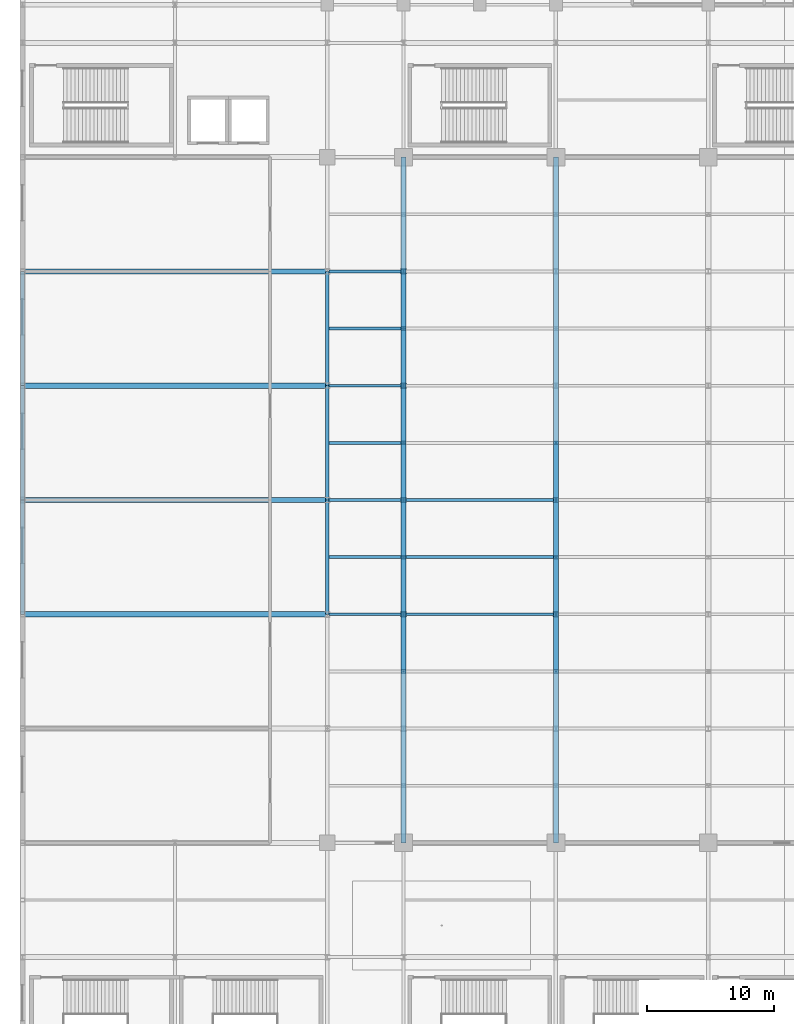
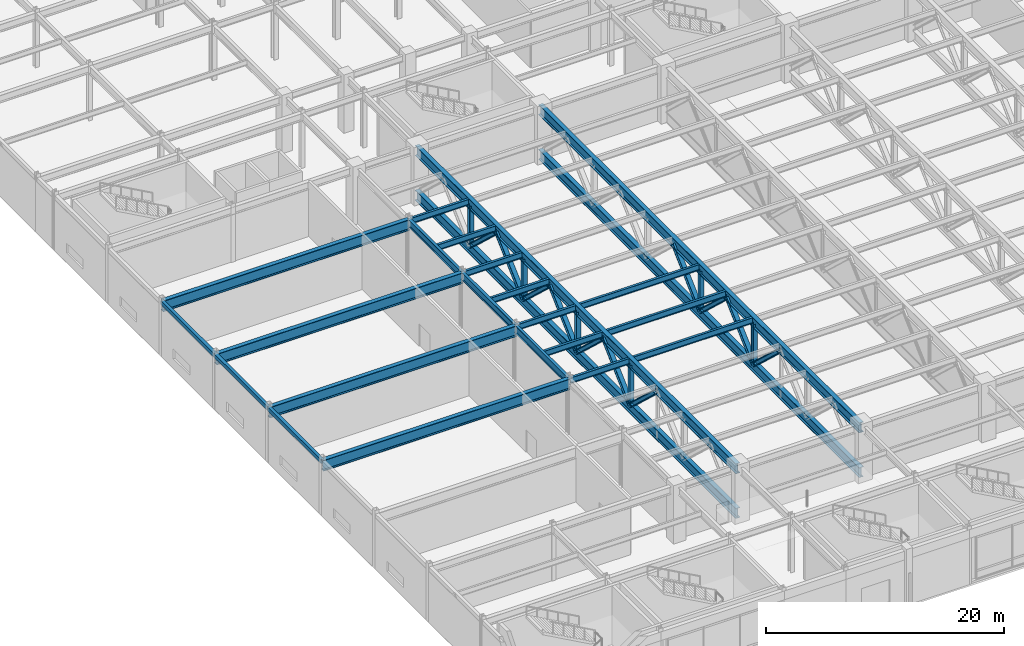
# One storey, part 27 of 108: 22 beams, 19 members.
"""IFC4 building model written with IfcOpenShell, lengths in metres."""

from ifc_helpers import new_model, si_unit, direction, frame, origin, origin_2d, place, context, subcontext, project, spatial, hollow_rectangle, i_section, extrude, material, material_profile, profile_set, type_object, element, save


model = new_model("IFC4")

# Units and contexts
model_context = context("Model", 3, precision=1e-05, world=origin(), true_north=direction((0.0, 1.0)))
body_context = subcontext(model_context, "Body", "Model", "MODEL_VIEW")
ifc_project = project(units=[si_unit("LENGTHUNIT", "METRE"), si_unit("AREAUNIT", "SQUARE_METRE"), si_unit("VOLUMEUNIT", "CUBIC_METRE"), si_unit("PLANEANGLEUNIT", "RADIAN"), si_unit("MASSUNIT", "GRAM", prefix="KILO")], contexts=[model_context])

# Site, building, storey
site_placement = place(None, origin())
site = spatial("IfcSite", under=ifc_project, at=site_placement, CompositionType="ELEMENT")
building_placement = place(site_placement, origin())
building = spatial("IfcBuilding", under=site, at=building_placement, Name="Kaldorvane Square Convention Centre", CompositionType="ELEMENT")
storey_placement = place(building_placement, frame((0.0, 0.0, 12.0)))
storey = spatial("IfcBuildingStorey", under=building, at=storey_placement, Name="L02", CompositionType="ELEMENT", Elevation=12.0)

# Beams
ifc_material_1 = material(Name="Steel ASTM A992 Gr. 50", Category="steel")
ifc_material_profile_1 = material_profile(ifc_material_1, i_section(OverallWidth=0.2666015625, OverallDepth=0.762298583984375, WebThickness=0.014404296875, FlangeThickness=0.0216064453125, FilletRadius=0.0164947509765625, at=origin_2d()), Name="W30X116")
ifc_profile_set_1 = profile_set([ifc_material_profile_1], Name="Steel ASTM A992 Gr. 50")
beam_type_1 = type_object("IfcBeamType", Name="BM-GR-W30X116", PredefinedType="BEAM", material=ifc_profile_set_1)
for number, where, z_axis, x_axis, name in (
    (1, (24.0, 36.0, 5.264801025390625), (0.0, 1.0, 0.0), (-1.0, 0.0, 0.0), "Transverse Girder (L02)"),
    (2, (24.0, 45.0, 5.264801025390625), (0.0, 1.0, 0.0), (-1.0, 0.0, 0.0), "Transverse Girder (L02)"),
    (3, (24.0, 54.0, 5.264801025390625), (0.0, 1.0, 0.0), (-1.0, 0.0, 0.0), "Transverse Girder (L02)"),
):
    element("IfcBeam", number, at=place(storey_placement, frame(where, z_axis=z_axis, x_axis=x_axis)), inside=storey, type_object=beam_type_1, Name=name, PredefinedType="BEAM", context=body_context, shape_type="SweptSolid", body=[
        extrude(i_section(OverallWidth=0.2666015625, OverallDepth=0.762298583984375, WebThickness=0.014404296875, FlangeThickness=0.0216064453125, FilletRadius=0.0164947509765625, at=origin_2d()), origin(), (0.0, 0.0, 1.0), 9.0),
    ])
ifc_material_profile_2 = material_profile(ifc_material_1, i_section(OverallWidth=0.404998779296875, OverallDepth=1.1179962158203125, WebThickness=0.0261993408203125, FlangeThickness=0.0449981689453125, FilletRadius=0.0254058837890625, at=origin_2d()), Name="W44X335")
ifc_profile_set_2 = profile_set([ifc_material_profile_2], Name="Steel ASTM A992 Gr. 50")
beam_type_2 = type_object("IfcBeamType", Name="BM-GR-W44X335", PredefinedType="BEAM", material=ifc_profile_set_2)
for number, where, z_axis, x_axis, name in (
    (4, (0.0, 36.0, 5.087005615234375), (1.0, 0.0, 0.0), (0.0, 1.0, 0.0), "Service Yard Long-Span Girder (L02)"),
    (5, (0.0, 45.0, 5.087005615234375), (1.0, 0.0, 0.0), (0.0, 1.0, 0.0), "Service Yard Long-Span Girder (L02)"),
    (6, (0.0, 54.0, 5.087005615234375), (1.0, 0.0, 0.0), (0.0, 1.0, 0.0), "Service Yard Long-Span Girder (L02)"),
    (7, (0.0, 63.0, 5.087005615234375), (1.0, 0.0, 0.0), (0.0, 1.0, 0.0), "Service Yard Long-Span Girder (L02)"),
):
    element("IfcBeam", number, at=place(storey_placement, frame(where, z_axis=z_axis, x_axis=x_axis)), inside=storey, type_object=beam_type_2, Name=name, PredefinedType="BEAM", context=body_context, shape_type="SweptSolid", body=[
        extrude(i_section(OverallWidth=0.404998779296875, OverallDepth=1.1179962158203125, WebThickness=0.0261993408203125, FlangeThickness=0.0449981689453125, FilletRadius=0.0254058837890625, at=origin_2d()), origin(), (0.0, 0.0, 1.0), 24.0),
    ])
ifc_material_profile_3 = material_profile(ifc_material_1, i_section(OverallWidth=0.2277069091796875, OverallDepth=0.6027069091796875, WebThickness=0.010498046875, FlangeThickness=0.014892578125, FilletRadius=0.0126953125, at=origin_2d()), Name="W24X68")
ifc_profile_set_3 = profile_set([ifc_material_profile_3], Name="Steel ASTM A992 Gr. 50")
beam_type_3 = type_object("IfcBeamType", Name="BM-JS-W24X68", PredefinedType="JOIST", material=ifc_profile_set_3)
for number, where, z_axis, x_axis, name in (
    (8, (24.13330078125, 36.0, 5.3446044921875), (1.0, 0.0, 0.0), (0.0, 1.0, 0.0), "Hall Composite Floor Joist (L02)"),
    (9, (24.13330078125, 40.5, 5.3446044921875), (1.0, 0.0, 0.0), (0.0, 1.0, 0.0), "Hall Composite Floor Joist (L02)"),
    (10, (24.13330078125, 45.0, 5.3446044921875), (1.0, 0.0, 0.0), (0.0, 1.0, 0.0), "Hall Composite Floor Joist (L02)"),
    (11, (24.13330078125, 49.5, 5.3446044921875), (1.0, 0.0, 0.0), (0.0, 1.0, 0.0), "Hall Composite Floor Joist (L02)"),
    (12, (24.13330078125, 54.0, 5.3446044921875), (1.0, 0.0, 0.0), (0.0, 1.0, 0.0), "Hall Composite Floor Joist (L02)"),
    (13, (24.13330078125, 58.5, 5.3446044921875), (1.0, 0.0, 0.0), (0.0, 1.0, 0.0), "Hall Composite Floor Joist (L02)"),
    (14, (24.13330078125, 63.0, 5.3446044921875), (1.0, 0.0, 0.0), (0.0, 1.0, 0.0), "Hall Composite Floor Joist (L02)"),
):
    element("IfcBeam", number, at=place(storey_placement, frame(where, z_axis=z_axis, x_axis=x_axis)), inside=storey, type_object=beam_type_3, Name=name, PredefinedType="JOIST", context=body_context, shape_type="SweptSolid", body=[
        extrude(i_section(OverallWidth=0.2277069091796875, OverallDepth=0.6027069091796875, WebThickness=0.010498046875, FlangeThickness=0.014892578125, FilletRadius=0.0126953125, at=origin_2d()), origin(), (0.0, 0.0, 1.0), 5.661895751953125),
    ])
for number, where, z_axis, x_axis, name in (
    (15, (30.204803466796875, 36.0, 5.3446044921875), (1.0, 0.0, 0.0), (0.0, 1.0, 0.0), "Hall Composite Floor Joist (L02)"),
    (16, (30.204803466796875, 40.5, 5.3446044921875), (1.0, 0.0, 0.0), (0.0, 1.0, 0.0), "Hall Composite Floor Joist (L02)"),
    (17, (30.204803466796875, 45.0, 5.3446044921875), (1.0, 0.0, 0.0), (0.0, 1.0, 0.0), "Hall Composite Floor Joist (L02)"),
):
    element("IfcBeam", number, at=place(storey_placement, frame(where, z_axis=z_axis, x_axis=x_axis)), inside=storey, type_object=beam_type_3, Name=name, PredefinedType="JOIST", context=body_context, shape_type="SweptSolid", body=[
        extrude(i_section(OverallWidth=0.2277069091796875, OverallDepth=0.6027069091796875, WebThickness=0.010498046875, FlangeThickness=0.014892578125, FilletRadius=0.0126953125, at=origin_2d()), origin(), (0.0, 0.0, 1.0), 11.59039306640625),
    ])
ifc_material_2 = material(Name="Steel ASTM A500 Gr. C", Category="steel")
ifc_material_profile_4 = material_profile(ifc_material_2, hollow_rectangle(XDim=0.3047943115234375, YDim=0.406402587890625, WallThickness=0.0117950439453125, at=origin_2d()), Name="HSS16X12X1/2")
ifc_profile_set_4 = profile_set([ifc_material_profile_4], Name="Steel ASTM A500 Gr. C")
beam_type_4 = type_object("IfcBeamType", Name="BM-SP-HSS16", PredefinedType="SPANDREL", material=ifc_profile_set_4)
for number, where, z_axis, x_axis, name in (
    (18, (0.0, 36.0, 5.4427947998046875), (0.0, 1.0, 0.0), (-1.0, 0.0, 0.0), "End Spandrel (L02)"),
    (19, (0.0, 45.0, 5.4427947998046875), (0.0, 1.0, 0.0), (-1.0, 0.0, 0.0), "End Spandrel (L02)"),
    (20, (0.0, 54.0, 5.4427947998046875), (0.0, 1.0, 0.0), (-1.0, 0.0, 0.0), "End Spandrel (L02)"),
):
    element("IfcBeam", number, at=place(storey_placement, frame(where, z_axis=z_axis, x_axis=x_axis)), inside=storey, type_object=beam_type_4, Name=name, PredefinedType="SPANDREL", context=body_context, shape_type="SweptSolid", body=[
        extrude(hollow_rectangle(XDim=0.3047943115234375, YDim=0.406402587890625, WallThickness=0.0117950439453125, at=origin_2d()), origin(), (0.0, 0.0, 1.0), 9.0),
    ])
ifc_material_profile_5 = material_profile(ifc_material_1, i_section(OverallWidth=0.40960693359375, OverallDepth=1.0413970947265625, WebThickness=0.031005859375, FlangeThickness=0.0558929443359375, FilletRadius=0.0305023193359375, at=origin_2d()), Name="W40X397")
ifc_profile_set_5 = profile_set([ifc_material_profile_5], Name="Steel ASTM A992 Gr. 50")
beam_type_5 = type_object("IfcBeamType", Name="BM-TG-W40X397", PredefinedType="USERDEFINED", material=ifc_profile_set_5)
for number, where, z_axis, x_axis, name in (
    (21, (30.0, 18.0, 5.12530517578125), (0.0, 1.0, 0.0), (-1.0, 0.0, 0.0), "Transfer Truss TT-01 Top Chord"),
    (22, (42.0, 18.0, 5.12530517578125), (0.0, 1.0, 0.0), (-1.0, 0.0, 0.0), "Transfer Truss TT-02 Top Chord"),
):
    element("IfcBeam", number, at=place(storey_placement, frame(where, z_axis=z_axis, x_axis=x_axis)), inside=storey, type_object=beam_type_5, Name=name, ObjectType="TRANSFER GIRDER", PredefinedType="USERDEFINED", context=body_context, shape_type="SweptSolid", body=[
        extrude(i_section(OverallWidth=0.40960693359375, OverallDepth=1.0413970947265625, WebThickness=0.031005859375, FlangeThickness=0.0558929443359375, FilletRadius=0.0305023193359375, at=origin_2d()), origin(), (0.0, 0.0, 1.0), 54.0),
    ])

# Members
ifc_material_profile_6 = material_profile(ifc_material_1, i_section(OverallWidth=0.4062957763671875, OverallDepth=0.416107177734375, WebThickness=0.0298004150390625, FlangeThickness=0.048004150390625, FilletRadius=0.0305023193359375, at=origin_2d()), Name="W14X257")
ifc_profile_set_6 = profile_set([ifc_material_profile_6], Name="Steel ASTM A992 Gr. 50")
member_type_1 = type_object("IfcMemberType", Name="MB-BR-W14X257", PredefinedType="BRACE", material=ifc_profile_set_6)
for number, where, z_axis, x_axis, name in (
    (23, (30.0, 36.0, 0.7299957275390625), (0.0, 0.731436442842, 0.681909620172), (-1.0, 0.0, 0.0), "Transfer Truss TT-01 Web Diagonal 3A"),
    (24, (30.0, 40.5, 4.92529296875), (0.0, 0.731436442842, -0.681909620172), (-1.0, 0.0, 0.0), "Transfer Truss TT-01 Web Diagonal 3B"),
    (25, (30.0, 45.0, 0.7299957275390625), (0.0, 0.731436442842, 0.681909620172), (-1.0, 0.0, 0.0), "Transfer Truss TT-01 Web Diagonal 4A"),
    (26, (30.0, 49.5, 4.92529296875), (0.0, 0.731436442842, -0.681909620172), (-1.0, 0.0, 0.0), "Transfer Truss TT-01 Web Diagonal 4B"),
    (27, (42.0, 36.0, 0.7299957275390625), (0.0, 0.731436442842, 0.681909620172), (-1.0, 0.0, 0.0), "Transfer Truss TT-02 Web Diagonal 3A"),
    (28, (42.0, 40.5, 4.92529296875), (0.0, 0.731436442842, -0.681909620172), (-1.0, 0.0, 0.0), "Transfer Truss TT-02 Web Diagonal 3B"),
    (29, (42.0, 45.0, 0.7299957275390625), (0.0, 0.731436442842, 0.681909620172), (-1.0, 0.0, 0.0), "Transfer Truss TT-02 Web Diagonal 4A"),
):
    element("IfcMember", number, at=place(storey_placement, frame(where, z_axis=z_axis, x_axis=x_axis)), inside=storey, type_object=member_type_1, Name=name, PredefinedType="BRACE", context=body_context, shape_type="SweptSolid", body=[
        extrude(i_section(OverallWidth=0.4062957763671875, OverallDepth=0.416107177734375, WebThickness=0.0298004150390625, FlangeThickness=0.048004150390625, FilletRadius=0.0305023193359375, at=origin_2d()), origin(), (0.0, 0.0, 1.0), 6.15228271484375),
    ])
ifc_material_profile_7 = material_profile(ifc_material_1, i_section(OverallWidth=0.412200927734375, OverallDepth=0.4347991943359375, WebThickness=0.035797119140625, FlangeThickness=0.057403564453125, FilletRadius=0.0305023193359375, at=origin_2d()), Name="W14X311")
ifc_profile_set_7 = profile_set([ifc_material_profile_7], Name="Steel ASTM A992 Gr. 50")
member_type_2 = type_object("IfcMemberType", Name="MB-BR-W14X311", PredefinedType="BRACE", material=ifc_profile_set_7)
for number, where, z_axis, x_axis, name in (
    (30, (30.0, 31.5, 4.92529296875), (0.0, 0.731436442842, -0.681909620172), (-1.0, 0.0, 0.0), "Transfer Truss TT-01 Web Diagonal 2B"),
    (31, (30.0, 54.0, 0.7299957275390625), (0.0, 0.731436442842, 0.681909620172), (-1.0, 0.0, 0.0), "Transfer Truss TT-01 Web Diagonal 5A"),
    (32, (30.0, 58.5, 4.92529296875), (0.0, 0.731436442842, -0.681909620172), (-1.0, 0.0, 0.0), "Transfer Truss TT-01 Web Diagonal 5B"),
    (33, (42.0, 31.5, 4.92529296875), (0.0, 0.731436442842, -0.681909620172), (-1.0, 0.0, 0.0), "Transfer Truss TT-02 Web Diagonal 2B"),
):
    element("IfcMember", number, at=place(storey_placement, frame(where, z_axis=z_axis, x_axis=x_axis)), inside=storey, type_object=member_type_2, Name=name, PredefinedType="BRACE", context=body_context, shape_type="SweptSolid", body=[
        extrude(i_section(OverallWidth=0.412200927734375, OverallDepth=0.4347991943359375, WebThickness=0.035797119140625, FlangeThickness=0.057403564453125, FilletRadius=0.0305023193359375, at=origin_2d()), origin(), (0.0, 0.0, 1.0), 6.15228271484375),
    ])
ifc_material_profile_8 = material_profile(ifc_material_1, i_section(OverallWidth=0.40960693359375, OverallDepth=1.0413970947265625, WebThickness=0.031005859375, FlangeThickness=0.0558929443359375, FilletRadius=0.0305023193359375, at=origin_2d()), Name="W40X397")
ifc_profile_set_8 = profile_set([ifc_material_profile_8], Name="Steel ASTM A992 Gr. 50")
member_type_3 = type_object("IfcMemberType", Name="MB-CH-W40X397", PredefinedType="CHORD", material=ifc_profile_set_8)
for number, where, z_axis, x_axis, name in (
    (34, (30.0, 18.0, 0.529998779296875), (0.0, 1.0, 0.0), (-1.0, 0.0, 0.0), "Transfer Truss TT-01 Bottom Chord"),
    (35, (42.0, 18.0, 0.529998779296875), (0.0, 1.0, 0.0), (-1.0, 0.0, 0.0), "Transfer Truss TT-02 Bottom Chord"),
):
    element("IfcMember", number, at=place(storey_placement, frame(where, z_axis=z_axis, x_axis=x_axis)), inside=storey, type_object=member_type_3, Name=name, PredefinedType="CHORD", context=body_context, shape_type="SweptSolid", body=[
        extrude(i_section(OverallWidth=0.40960693359375, OverallDepth=1.0413970947265625, WebThickness=0.031005859375, FlangeThickness=0.0558929443359375, FilletRadius=0.0305023193359375, at=origin_2d()), origin(), (0.0, 0.0, 1.0), 54.0),
    ])
ifc_material_profile_9 = material_profile(ifc_material_1, i_section(OverallWidth=0.3990020751953125, OverallDepth=0.3932037353515625, WebThickness=0.0225982666015625, FlangeThickness=0.0366058349609375, FilletRadius=0.0305023193359375, at=origin_2d()), Name="W14X193")
ifc_profile_set_9 = profile_set([ifc_material_profile_9], Name="Steel ASTM A992 Gr. 50")
member_type_4 = type_object("IfcMemberType", Name="MB-PS-W14X193", PredefinedType="POST", material=ifc_profile_set_9)
for number, where, z_axis, x_axis, name in (
    (36, (30.0, 36.0, 1.0099945068359375), (0.0, 0.0, 1.0), (1.0, 0.0, 0.0), "Transfer Truss TT-01 Vertical Post 2"),
    (37, (30.0, 45.0, 1.0099945068359375), (0.0, 0.0, 1.0), (1.0, 0.0, 0.0), "Transfer Truss TT-01 Vertical Post 3"),
    (38, (30.0, 54.0, 1.0099945068359375), (0.0, 0.0, 1.0), (1.0, 0.0, 0.0), "Transfer Truss TT-01 Vertical Post 4"),
    (39, (30.0, 63.0, 1.0099945068359375), (0.0, 0.0, 1.0), (1.0, 0.0, 0.0), "Transfer Truss TT-01 Vertical Post 5"),
    (40, (42.0, 36.0, 1.0099945068359375), (0.0, 0.0, 1.0), (1.0, 0.0, 0.0), "Transfer Truss TT-02 Vertical Post 2"),
    (41, (42.0, 45.0, 1.0099945068359375), (0.0, 0.0, 1.0), (1.0, 0.0, 0.0), "Transfer Truss TT-02 Vertical Post 3"),
):
    element("IfcMember", number, at=place(storey_placement, frame(where, z_axis=z_axis, x_axis=x_axis)), inside=storey, type_object=member_type_4, Name=name, PredefinedType="POST", context=body_context, shape_type="SweptSolid", body=[
        extrude(i_section(OverallWidth=0.3990020751953125, OverallDepth=0.3932037353515625, WebThickness=0.0225982666015625, FlangeThickness=0.0366058349609375, FilletRadius=0.0305023193359375, at=origin_2d()), origin(), (0.0, 0.0, 1.0), 3.9152984619140625),
    ])

save(model, "model.ifc")
